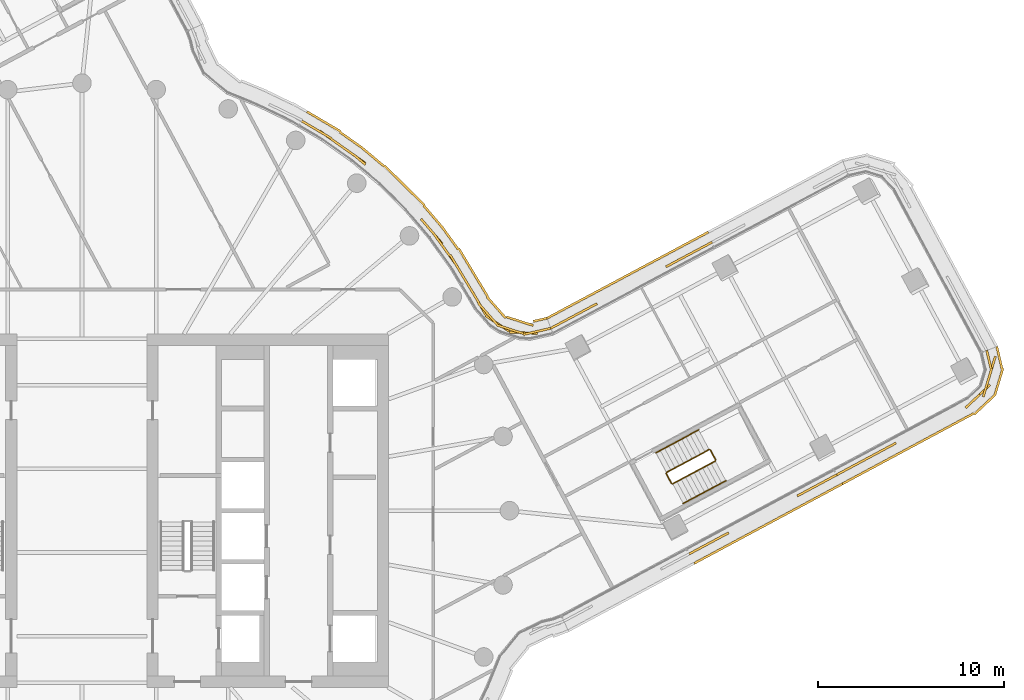
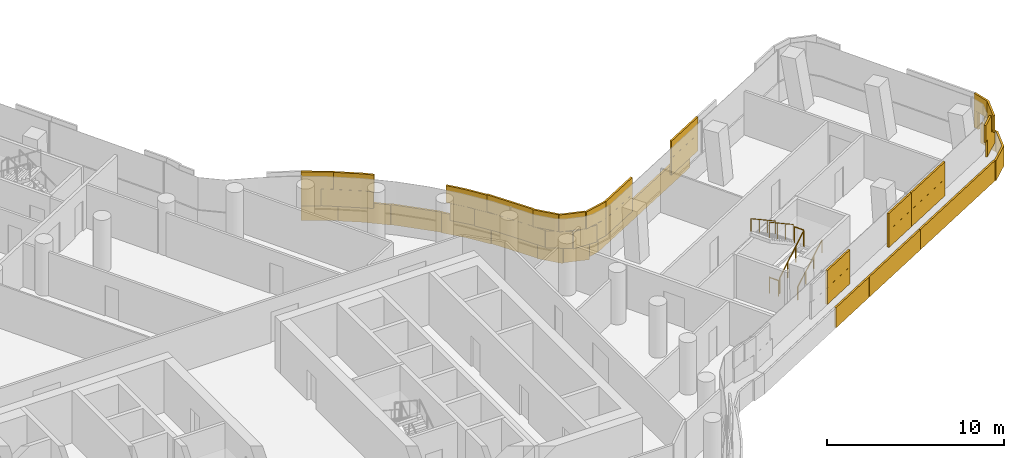
# One storey, part 30 of 33: 6 railings, 4 coverings.
"""IFC4 building model written with IfcOpenShell, lengths in metres."""

from ifc_helpers import new_model, si_unit, direction, frame, origin, origin_2d, place, context, subcontext, project, spatial, rectangle, circle, extrude, material, layer, layer_set, type_object, element, save


model = new_model("IFC4")

# Units and contexts
model_context = context("Model", 3, precision=1e-05, world=origin(), true_north=direction((0.0, 1.0)))
body_context = subcontext(model_context, "Body", "Model", "MODEL_VIEW")
ifc_project = project(units=[si_unit("LENGTHUNIT", "METRE"), si_unit("AREAUNIT", "SQUARE_METRE"), si_unit("VOLUMEUNIT", "CUBIC_METRE"), si_unit("PLANEANGLEUNIT", "RADIAN"), si_unit("MASSUNIT", "GRAM", prefix="KILO")], contexts=[model_context])

# Site, building, storey
site_placement = place(None, origin())
site = spatial("IfcSite", under=ifc_project, at=site_placement, CompositionType="ELEMENT")
building_placement = place(site_placement, origin())
building = spatial("IfcBuilding", under=site, at=building_placement, Name="Tamarind Cross Interchange Tower", CompositionType="ELEMENT")
storey_placement = place(building_placement, frame((0.0, 0.0, 136.75)))
storey = spatial("IfcBuildingStorey", under=building, at=storey_placement, Name="L33", CompositionType="ELEMENT", Elevation=136.75)

# Railings
ifc_material_1 = material(Name="Stair guard")
railing_type_1 = type_object("IfcRailingType", Name="Stair guard", PredefinedType="GUARDRAIL", material=ifc_material_1)
railing_1_placement = place(storey_placement, frame((31.77880859375, 1.444091796875, 0.17041015625)))
element("IfcRailing", 1, at=railing_1_placement, inside=storey, type_object=railing_type_1, Name="L33 ST3 stair guard 1", PredefinedType="GUARDRAIL", context=body_context, shape_type="SweptSolid", body=[
    extrude(circle(Radius=0.02392578125, at=origin_2d()), frame((0.0, 0.0, 1.076171875), z_axis=(0.73697387302, 0.395303833434, 0.548274009742), x_axis=(-0.47268255552, 0.88123277385, 0.0)), (0.0, 0.0, 1.0), 3.109130859375),
    extrude(circle(Radius=0.02099609375, at=origin_2d()), origin(), (0.0, 0.0, 1.0), 1.052001953125),
    extrude(circle(Radius=0.02099609375, at=origin_2d()), frame((0.763671875, 0.40966796875, 0.568115234375)), (0.0, 0.0, 1.0), 1.052001953125),
    extrude(circle(Radius=0.02099609375, at=origin_2d()), frame((1.527587890625, 0.8193359375, 1.136474609375)), (0.0, 0.0, 1.0), 1.052001953125),
    extrude(circle(Radius=0.02099609375, at=origin_2d()), frame((2.291259765625, 1.22900390625, 1.70458984375)), (0.0, 0.0, 1.0), 1.052001953125),
])
railing_2_placement = place(storey_placement, frame((34.090576171875, 2.74072265625, 1.875)))
element("IfcRailing", 2, at=railing_2_placement, inside=storey, type_object=railing_type_1, Name="L33 ST3 stair guard 2", PredefinedType="GUARDRAIL", context=body_context, shape_type="SweptSolid", body=[
    extrude(circle(Radius=0.02392578125, at=origin_2d()), frame((0.0, 0.0, 1.076171875), z_axis=(-0.472740658305, 0.881201605755, 0.0), x_axis=(-0.881201605755, -0.472740658305, 0.0)), (0.0, 0.0, 1.0), 0.60009765625),
    extrude(circle(Radius=0.02099609375, at=origin_2d()), origin(), (0.0, 0.0, 1.0), 1.052001953125),
    extrude(circle(Radius=0.02099609375, at=origin_2d()), frame((-0.28369140625, 0.52880859375, 0.0)), (0.0, 0.0, 1.0), 1.052001953125),
])
railing_3_placement = place(storey_placement, frame((33.7392578125, 3.289794921875, 2.04541015625)))
element("IfcRailing", 3, at=railing_3_placement, inside=storey, type_object=railing_type_1, Name="L33 ST3 stair guard 3", PredefinedType="GUARDRAIL", context=body_context, shape_type="SweptSolid", body=[
    extrude(circle(Radius=0.02392578125, at=origin_2d()), frame((0.0, 0.0, 1.076171875), z_axis=(-0.73697387302, -0.395303833434, 0.548274009742), x_axis=(0.47268255552, -0.88123277385, 0.0)), (0.0, 0.0, 1.0), 3.109130859375),
    extrude(circle(Radius=0.02099609375, at=origin_2d()), origin(), (0.0, 0.0, 1.0), 1.052001953125),
    extrude(circle(Radius=0.02099609375, at=origin_2d()), frame((-0.763671875, -0.40966796875, 0.568115234375)), (0.0, 0.0, 1.0), 1.052001953125),
    extrude(circle(Radius=0.02099609375, at=origin_2d()), frame((-1.527587890625, -0.8193359375, 1.136474609375)), (0.0, 0.0, 1.0), 1.052001953125),
    extrude(circle(Radius=0.02099609375, at=origin_2d()), frame((-2.291259765625, -1.22900390625, 1.70458984375)), (0.0, 0.0, 1.0), 1.052001953125),
])
railing_4_placement = place(storey_placement, frame((31.711181640625, 1.46435546875, 0.0)))
element("IfcRailing", 4, at=railing_4_placement, inside=storey, type_object=railing_type_1, Name="L33 ST3 stair guard 4", PredefinedType="GUARDRAIL", context=body_context, shape_type="SweptSolid", body=[
    extrude(circle(Radius=0.02392578125, at=origin_2d()), frame((0.0, 0.0, 1.076171875), z_axis=(-0.472740658305, 0.881201605755, 0.0), x_axis=(-0.881201605755, -0.472740658305, 0.0)), (0.0, 0.0, 1.0), 0.60009765625),
    extrude(circle(Radius=0.02099609375, at=origin_2d()), origin(), (0.0, 0.0, 1.0), 1.052001953125),
    extrude(circle(Radius=0.02099609375, at=origin_2d()), frame((-0.28369140625, 0.52880859375, 0.0)), (0.0, 0.0, 1.0), 1.052001953125),
])
ifc_material_2 = material(Name="Stair handrail")
railing_type_2 = type_object("IfcRailingType", Name="Stair handrail", PredefinedType="HANDRAIL", material=ifc_material_2)
railing_5_placement = place(storey_placement, frame((32.34619140625, 0.386474609375, 0.17041015625)))
element("IfcRailing", 5, at=railing_5_placement, inside=storey, type_object=railing_type_2, Name="L33 ST3 stair handrail 1", PredefinedType="HANDRAIL", context=body_context, shape_type="SweptSolid", body=[
    extrude(circle(Radius=0.02392578125, at=origin_2d()), frame((0.0, 0.0, 0.8759765625), z_axis=(0.73697387302, 0.395303833434, 0.548274009742), x_axis=(-0.47268255552, 0.88123277385, 0.0)), (0.0, 0.0, 1.0), 3.109130859375),
    extrude(circle(Radius=0.02099609375, at=origin_2d()), origin(), (0.0, 0.0, 1.0), 0.851806640625),
    extrude(circle(Radius=0.02099609375, at=origin_2d()), frame((0.763671875, 0.40966796875, 0.568115234375)), (0.0, 0.0, 1.0), 0.851806640625),
    extrude(circle(Radius=0.02099609375, at=origin_2d()), frame((1.527587890625, 0.8193359375, 1.136474609375)), (0.0, 0.0, 1.0), 0.851806640625),
    extrude(circle(Radius=0.02099609375, at=origin_2d()), frame((2.291259765625, 1.22900390625, 1.70458984375)), (0.0, 0.0, 1.0), 0.851806640625),
])
railing_6_placement = place(storey_placement, frame((33.171875, 4.347412109375, 2.04541015625)))
element("IfcRailing", 6, at=railing_6_placement, inside=storey, type_object=railing_type_2, Name="L33 ST3 stair handrail 2", PredefinedType="HANDRAIL", context=body_context, shape_type="SweptSolid", body=[
    extrude(circle(Radius=0.02392578125, at=origin_2d()), frame((0.0, 0.0, 0.8759765625), z_axis=(-0.736937993412, -0.395326711299, 0.548305740622), x_axis=(0.472721670882, -0.881211791727, 0.0)), (0.0, 0.0, 1.0), 3.10888671875),
    extrude(circle(Radius=0.02099609375, at=origin_2d()), origin(), (0.0, 0.0, 1.0), 0.851806640625),
    extrude(circle(Radius=0.02099609375, at=origin_2d()), frame((-0.763671875, -0.40966796875, 0.568115234375)), (0.0, 0.0, 1.0), 0.851806640625),
    extrude(circle(Radius=0.02099609375, at=origin_2d()), frame((-1.52734375, -0.8193359375, 1.136474609375)), (0.0, 0.0, 1.0), 0.851806640625),
    extrude(circle(Radius=0.02099609375, at=origin_2d()), frame((-2.291015625, -1.22900390625, 1.70458984375)), (0.0, 0.0, 1.0), 0.851806640625),
])

# Coverings
ifc_material_3 = material(Name="Terracotta", Category="masonry")
ifc_layer = layer(ifc_material_3, 0.1201171875)
ifc_layer_set = layer_set([ifc_layer], Name="Terracotta")
covering_type = type_object("IfcCoveringType", Name="Terracotta baguette screen unit", PredefinedType="MOLDING", material=ifc_layer_set)
covering_1_placement = place(storey_placement, origin())
element("IfcCovering", 7, at=covering_1_placement, inside=storey, type_object=covering_type, Name="SCR-L33-11-01", PredefinedType="MOLDING", context=body_context, shape_type="SweptSolid", body=[
    extrude(rectangle(XDim=0.61279296875, YDim=0.1201171875, at=origin_2d()), frame((32.930908203125, -2.18212890625, 1.404052734375), z_axis=(0.0, 0.0, 1.0), x_axis=(0.881224263054, 0.472698422046, 0.0)), (0.0, 0.0, 1.0), 1.1669921875),
    extrude(rectangle(XDim=1.52001953125, YDim=0.1201171875, at=origin_2d()), frame((33.857421875, -1.685302734375, 1.404052734375), z_axis=(0.0, 0.0, 1.0), x_axis=(0.881224263054, 0.472698422046, 0.0)), (0.0, 0.0, 1.0), 1.1669921875),
    extrude(rectangle(XDim=0.310546875, YDim=0.1201171875, at=origin_2d()), frame((34.650634765625, -1.259765625, 1.404052734375), z_axis=(0.0, 0.0, 1.0), x_axis=(0.881224263054, 0.472698422046, 0.0)), (0.0, 0.0, 1.0), 1.1669921875),
    extrude(rectangle(XDim=1.509521484375, YDim=0.1201171875, at=origin_2d()), frame((39.144775390625, 1.151123046875, 1.404052734375), z_axis=(0.0, 0.0, 1.0), x_axis=(0.881224263054, 0.472698422046, 0.0)), (0.0, 0.0, 1.0), 1.1669921875),
    extrude(rectangle(XDim=0.91357421875, YDim=0.1201171875, at=origin_2d()), frame((40.203857421875, 1.718994140625, 1.404052734375), z_axis=(0.0, 0.0, 1.0), x_axis=(0.881224263054, 0.472698422046, 0.0)), (0.0, 0.0, 1.0), 1.1669921875),
    extrude(rectangle(XDim=1.36279296875, YDim=0.1201171875, at=origin_2d()), frame((33.26123046875, -2.0048828125, 2.5791015625), z_axis=(0.0, 0.0, 1.0), x_axis=(0.881224263054, 0.472698422046, 0.0)), (0.0, 0.0, 1.0), 1.1669921875),
    extrude(rectangle(XDim=1.060546875, YDim=0.1201171875, at=origin_2d()), frame((34.320068359375, -1.43701171875, 2.5791015625), z_axis=(0.0, 0.0, 1.0), x_axis=(0.881224263054, 0.472698422046, 0.0)), (0.0, 0.0, 1.0), 1.1669921875),
    extrude(rectangle(XDim=0.759521484375, YDim=0.1201171875, at=origin_2d()), frame((38.814453125, 0.973876953125, 2.5791015625), z_axis=(0.0, 0.0, 1.0), x_axis=(0.881224263054, 0.472698422046, 0.0)), (0.0, 0.0, 1.0), 1.1669921875),
    extrude(rectangle(XDim=1.52001953125, YDim=0.1201171875, at=origin_2d()), frame((39.8056640625, 1.50537109375, 2.5791015625), z_axis=(0.0, 0.0, 1.0), x_axis=(0.881224263054, 0.472698422046, 0.0)), (0.0, 0.0, 1.0), 1.1669921875),
    extrude(rectangle(XDim=0.16357421875, YDim=0.1201171875, at=origin_2d()), frame((40.5341796875, 1.896240234375, 2.5791015625), z_axis=(0.0, 0.0, 1.0), x_axis=(0.881224263054, 0.472698422046, 0.0)), (0.0, 0.0, 1.0), 1.1669921875),
    extrude(rectangle(XDim=0.577880859375, YDim=0.1201171875, at=origin_2d()), frame((33.188720703125, -2.6953125, 0.00390625), z_axis=(0.0, 0.0, 1.0), x_axis=(0.881224263054, 0.472698422046, 0.0)), (0.0, 0.0, 1.0), 1.39208984375),
    extrude(rectangle(XDim=1.52001953125, YDim=0.1201171875, at=origin_2d()), frame((34.095458984375, -2.208740234375, 0.00390625), z_axis=(0.0, 0.0, 1.0), x_axis=(0.881224263054, 0.472698422046, 0.0)), (0.0, 0.0, 1.0), 1.39208984375),
    extrude(rectangle(XDim=1.52001953125, YDim=0.1201171875, at=origin_2d()), frame((35.417236328125, -1.499755859375, 0.00390625), z_axis=(0.0, 0.0, 1.0), x_axis=(0.881224263054, 0.472698422046, 0.0)), (0.0, 0.0, 1.0), 1.39208984375),
    extrude(rectangle(XDim=1.52001953125, YDim=0.1201171875, at=origin_2d()), frame((36.7392578125, -0.790771484375, 0.00390625), z_axis=(0.0, 0.0, 1.0), x_axis=(0.881224263054, 0.472698422046, 0.0)), (0.0, 0.0, 1.0), 1.39208984375),
    extrude(rectangle(XDim=1.52001953125, YDim=0.1201171875, at=origin_2d()), frame((38.06103515625, -0.081787109375, 0.00390625), z_axis=(0.0, 0.0, 1.0), x_axis=(0.881224263054, 0.472698422046, 0.0)), (0.0, 0.0, 1.0), 1.39208984375),
    extrude(rectangle(XDim=1.52001953125, YDim=0.1201171875, at=origin_2d()), frame((39.3828125, 0.62744140625, 0.00390625), z_axis=(0.0, 0.0, 1.0), x_axis=(0.881224263054, 0.472698422046, 0.0)), (0.0, 0.0, 1.0), 1.39208984375),
    extrude(rectangle(XDim=0.989501953125, YDim=0.1201171875, at=origin_2d()), frame((40.470947265625, 1.2109375, 0.00390625), z_axis=(0.0, 0.0, 1.0), x_axis=(0.881224263054, 0.472698422046, 0.0)), (0.0, 0.0, 1.0), 1.39208984375),
])
covering_2_placement = place(storey_placement, origin())
element("IfcCovering", 8, at=covering_2_placement, inside=storey, type_object=covering_type, Name="SCR-L33-11-02", PredefinedType="MOLDING", context=body_context, shape_type="SweptSolid", body=[
    extrude(rectangle(XDim=0.606201171875, YDim=0.1201171875, at=origin_2d()), frame((40.86474609375, 2.073486328125, 1.404052734375), z_axis=(0.0, 0.0, 1.0), x_axis=(0.881224263054, 0.472698422046, 0.0)), (0.0, 0.0, 1.0), 1.1669921875),
    extrude(rectangle(XDim=1.52001953125, YDim=0.1201171875, at=origin_2d()), frame((41.788330078125, 2.569091796875, 1.404052734375), z_axis=(0.0, 0.0, 1.0), x_axis=(0.881224263054, 0.472698422046, 0.0)), (0.0, 0.0, 1.0), 1.1669921875),
    extrude(rectangle(XDim=1.52001953125, YDim=0.1201171875, at=origin_2d()), frame((43.110107421875, 3.278076171875, 1.404052734375), z_axis=(0.0, 0.0, 1.0), x_axis=(0.881224263054, 0.472698422046, 0.0)), (0.0, 0.0, 1.0), 1.1669921875),
    extrude(rectangle(XDim=1.52001953125, YDim=0.1201171875, at=origin_2d()), frame((48.298095703125, 6.252685546875, 1.404052734375), z_axis=(0.0, 0.0, 1.0), x_axis=(0.728853920221, 0.684669236185, 0.0)), (0.0, 0.0, 1.0), 1.1669921875),
    extrude(rectangle(XDim=1.52001953125, YDim=0.1201171875, at=origin_2d()), frame((48.915771484375, 7.574462890625, 1.404052734375), z_axis=(0.0, 0.0, 1.0), x_axis=(0.288871392467, 0.957367911837, 0.0)), (0.0, 0.0, 1.0), 1.1669921875),
    extrude(rectangle(XDim=0.33349609375, YDim=0.1201171875, at=origin_2d()), frame((48.70849609375, 8.462158203125, 1.404052734375), z_axis=(0.0, 0.0, 1.0), x_axis=(-0.228513991615, 0.973540628652, 0.0)), (0.0, 0.0, 1.0), 1.1669921875),
    extrude(rectangle(XDim=1.356201171875, YDim=0.1201171875, at=origin_2d()), frame((41.195068359375, 2.2509765625, 2.5791015625), z_axis=(0.0, 0.0, 1.0), x_axis=(0.881224263054, 0.472698422046, 0.0)), (0.0, 0.0, 1.0), 1.1669921875),
    extrude(rectangle(XDim=1.52001953125, YDim=0.1201171875, at=origin_2d()), frame((42.44921875, 2.923583984375, 2.5791015625), z_axis=(0.0, 0.0, 1.0), x_axis=(0.881224263054, 0.472698422046, 0.0)), (0.0, 0.0, 1.0), 1.1669921875),
    extrude(rectangle(XDim=0.773681640625, YDim=0.1201171875, at=origin_2d()), frame((43.446533203125, 3.45849609375, 2.5791015625), z_axis=(0.0, 0.0, 1.0), x_axis=(0.881224263054, 0.472698422046, 0.0)), (0.0, 0.0, 1.0), 1.1669921875),
    extrude(rectangle(XDim=1.04638671875, YDim=0.1201171875, at=origin_2d()), frame((47.92041015625, 5.897705078125, 2.5791015625), z_axis=(0.0, 0.0, 1.0), x_axis=(0.728853920221, 0.684669236185, 0.0)), (0.0, 0.0, 1.0), 1.1669921875),
    extrude(rectangle(XDim=1.52001953125, YDim=0.1201171875, at=origin_2d()), frame((48.698974609375, 6.8564453125, 2.5791015625), z_axis=(0.0, 0.0, 1.0), x_axis=(0.288871392467, 0.957367911837, 0.0)), (0.0, 0.0, 1.0), 1.1669921875),
    extrude(rectangle(XDim=1.08349609375, YDim=0.1201171875, at=origin_2d()), frame((48.794189453125, 8.096923828125, 2.5791015625), z_axis=(0.0, 0.0, 1.0), x_axis=(-0.228513991615, 0.973540628652, 0.0)), (0.0, 0.0, 1.0), 1.1669921875),
    extrude(rectangle(XDim=0.530517578125, YDim=0.1201171875, at=origin_2d()), frame((41.140625, 1.5703125, 0.00390625), z_axis=(0.0, 0.0, 1.0), x_axis=(0.881224263054, 0.472698422046, 0.0)), (0.0, 0.0, 1.0), 1.39208984375),
    extrude(rectangle(XDim=1.52001953125, YDim=0.1201171875, at=origin_2d()), frame((42.026611328125, 2.04541015625, 0.00390625), z_axis=(0.0, 0.0, 1.0), x_axis=(0.881224263054, 0.472698422046, 0.0)), (0.0, 0.0, 1.0), 1.39208984375),
    extrude(rectangle(XDim=1.52001953125, YDim=0.1201171875, at=origin_2d()), frame((43.348388671875, 2.75439453125, 0.00390625), z_axis=(0.0, 0.0, 1.0), x_axis=(0.881224263054, 0.472698422046, 0.0)), (0.0, 0.0, 1.0), 1.39208984375),
    extrude(rectangle(XDim=1.52001953125, YDim=0.1201171875, at=origin_2d()), frame((44.670166015625, 3.463623046875, 0.00390625), z_axis=(0.0, 0.0, 1.0), x_axis=(0.881224263054, 0.472698422046, 0.0)), (0.0, 0.0, 1.0), 1.39208984375),
    extrude(rectangle(XDim=1.52001953125, YDim=0.1201171875, at=origin_2d()), frame((45.991943359375, 4.172607421875, 0.00390625), z_axis=(0.0, 0.0, 1.0), x_axis=(0.881224263054, 0.472698422046, 0.0)), (0.0, 0.0, 1.0), 1.39208984375),
    extrude(rectangle(XDim=1.52001953125, YDim=0.1201171875, at=origin_2d()), frame((47.31396484375, 4.881591796875, 0.00390625), z_axis=(0.0, 0.0, 1.0), x_axis=(0.881224263054, 0.472698422046, 0.0)), (0.0, 0.0, 1.0), 1.39208984375),
    extrude(rectangle(XDim=1.52001953125, YDim=0.1201171875, at=origin_2d()), frame((48.553466796875, 5.705078125, 0.00390625), z_axis=(0.0, 0.0, 1.0), x_axis=(0.728853920221, 0.684669236185, 0.0)), (0.0, 0.0, 1.0), 1.39208984375),
    extrude(rectangle(XDim=1.52001953125, YDim=0.1201171875, at=origin_2d()), frame((49.32177734375, 6.933349609375, 0.00390625), z_axis=(0.0, 0.0, 1.0), x_axis=(0.288871392467, 0.957367911837, 0.0)), (0.0, 0.0, 1.0), 1.39208984375),
    extrude(rectangle(XDim=1.213134765625, YDim=0.1201171875, at=origin_2d()), frame((49.3515625, 8.23388671875, 0.00390625), z_axis=(0.0, 0.0, 1.0), x_axis=(-0.228513991615, 0.973540628652, 0.0)), (0.0, 0.0, 1.0), 1.39208984375),
])
covering_3_placement = place(storey_placement, origin())
element("IfcCovering", 9, at=covering_3_placement, inside=storey, type_object=covering_type, Name="SCR-L33-13-01", PredefinedType="MOLDING", context=body_context, shape_type="SweptSolid", body=[
    extrude(rectangle(XDim=0.072021484375, YDim=0.1201171875, at=origin_2d()), frame((33.869384765625, 14.430908203125, 1.404052734375), z_axis=(0.0, 0.0, 1.0), x_axis=(-0.88215520934, -0.47095879505, 0.0)), (0.0, 0.0, 1.0), 1.1669921875),
    extrude(rectangle(XDim=1.52001953125, YDim=0.1201171875, at=origin_2d()), frame((33.180419921875, 14.06298828125, 1.404052734375), z_axis=(0.0, 0.0, 1.0), x_axis=(-0.88215520934, -0.47095879505, 0.0)), (0.0, 0.0, 1.0), 1.1669921875),
    extrude(rectangle(XDim=1.26416015625, YDim=0.1201171875, at=origin_2d()), frame((31.965576171875, 13.41455078125, 1.404052734375), z_axis=(0.0, 0.0, 1.0), x_axis=(-0.88215520934, -0.47095879505, 0.0)), (0.0, 0.0, 1.0), 1.1669921875),
    extrude(rectangle(XDim=0.5556640625, YDim=0.1201171875, at=origin_2d()), frame((27.466552734375, 11.012451171875, 1.404052734375), z_axis=(0.0, 0.0, 1.0), x_axis=(-0.88215520934, -0.47095879505, 0.0)), (0.0, 0.0, 1.0), 1.1669921875),
    extrude(rectangle(XDim=1.52001953125, YDim=0.1201171875, at=origin_2d()), frame((26.564208984375, 10.53076171875, 1.404052734375), z_axis=(0.0, 0.0, 1.0), x_axis=(-0.88215520934, -0.47095879505, 0.0)), (0.0, 0.0, 1.0), 1.1669921875),
    extrude(rectangle(XDim=0.780517578125, YDim=0.1201171875, at=origin_2d()), frame((25.562744140625, 9.99609375, 1.404052734375), z_axis=(0.0, 0.0, 1.0), x_axis=(-0.88215520934, -0.47095879505, 0.0)), (0.0, 0.0, 1.0), 1.1669921875),
    extrude(rectangle(XDim=0.822021484375, YDim=0.1201171875, at=origin_2d()), frame((33.53857421875, 14.254150390625, 2.5791015625), z_axis=(0.0, 0.0, 1.0), x_axis=(-0.88215520934, -0.47095879505, 0.0)), (0.0, 0.0, 1.0), 1.1669921875),
    extrude(rectangle(XDim=1.52001953125, YDim=0.1201171875, at=origin_2d()), frame((32.518798828125, 13.709716796875, 2.5791015625), z_axis=(0.0, 0.0, 1.0), x_axis=(-0.88215520934, -0.47095879505, 0.0)), (0.0, 0.0, 1.0), 1.1669921875),
    extrude(rectangle(XDim=0.51416015625, YDim=0.1201171875, at=origin_2d()), frame((31.634765625, 13.23779296875, 2.5791015625), z_axis=(0.0, 0.0, 1.0), x_axis=(-0.88215520934, -0.47095879505, 0.0)), (0.0, 0.0, 1.0), 1.1669921875),
    extrude(rectangle(XDim=1.3056640625, YDim=0.1201171875, at=origin_2d()), frame((27.1357421875, 10.8359375, 2.5791015625), z_axis=(0.0, 0.0, 1.0), x_axis=(-0.88215520934, -0.47095879505, 0.0)), (0.0, 0.0, 1.0), 1.1669921875),
    extrude(rectangle(XDim=1.52001953125, YDim=0.1201171875, at=origin_2d()), frame((25.902587890625, 10.177734375, 2.5791015625), z_axis=(0.0, 0.0, 1.0), x_axis=(-0.88215520934, -0.47095879505, 0.0)), (0.0, 0.0, 1.0), 1.1669921875),
    extrude(rectangle(XDim=0.030517578125, YDim=0.1201171875, at=origin_2d()), frame((25.23193359375, 9.819580078125, 2.5791015625), z_axis=(0.0, 0.0, 1.0), x_axis=(-0.88215520934, -0.47095879505, 0.0)), (0.0, 0.0, 1.0), 1.1669921875),
    extrude(rectangle(XDim=0.072998046875, YDim=0.1201171875, at=origin_2d()), frame((33.6611328125, 14.970458984375, 0.00390625), z_axis=(0.0, 0.0, 1.0), x_axis=(-0.88215520934, -0.47095879505, 0.0)), (0.0, 0.0, 1.0), 1.39208984375),
    extrude(rectangle(XDim=1.52001953125, YDim=0.1201171875, at=origin_2d()), frame((32.97607421875, 14.604736328125, 0.00390625), z_axis=(0.0, 0.0, 1.0), x_axis=(-0.88215520934, -0.47095879505, 0.0)), (0.0, 0.0, 1.0), 1.39208984375),
    extrude(rectangle(XDim=1.52001953125, YDim=0.1201171875, at=origin_2d()), frame((31.653076171875, 13.898193359375, 0.00390625), z_axis=(0.0, 0.0, 1.0), x_axis=(-0.88215520934, -0.47095879505, 0.0)), (0.0, 0.0, 1.0), 1.39208984375),
    extrude(rectangle(XDim=1.52001953125, YDim=0.1201171875, at=origin_2d()), frame((30.329833984375, 13.19189453125, 0.00390625), z_axis=(0.0, 0.0, 1.0), x_axis=(-0.88215520934, -0.47095879505, 0.0)), (0.0, 0.0, 1.0), 1.39208984375),
    extrude(rectangle(XDim=1.52001953125, YDim=0.1201171875, at=origin_2d()), frame((29.006591796875, 12.4853515625, 0.00390625), z_axis=(0.0, 0.0, 1.0), x_axis=(-0.88215520934, -0.47095879505, 0.0)), (0.0, 0.0, 1.0), 1.39208984375),
    extrude(rectangle(XDim=1.52001953125, YDim=0.1201171875, at=origin_2d()), frame((27.683349609375, 11.779052734375, 0.00390625), z_axis=(0.0, 0.0, 1.0), x_axis=(-0.88215520934, -0.47095879505, 0.0)), (0.0, 0.0, 1.0), 1.39208984375),
    extrude(rectangle(XDim=1.52001953125, YDim=0.1201171875, at=origin_2d()), frame((26.360107421875, 11.072509765625, 0.00390625), z_axis=(0.0, 0.0, 1.0), x_axis=(-0.88215520934, -0.47095879505, 0.0)), (0.0, 0.0, 1.0), 1.39208984375),
    extrude(rectangle(XDim=0.77880859375, YDim=0.1201171875, at=origin_2d()), frame((25.36376953125, 10.54052734375, 0.00390625), z_axis=(0.0, 0.0, 1.0), x_axis=(-0.88215520934, -0.47095879505, 0.0)), (0.0, 0.0, 1.0), 1.39208984375),
])
covering_4_placement = place(storey_placement, origin())
element("IfcCovering", 10, at=covering_4_placement, inside=storey, type_object=covering_type, Name="SCR-L33-14-00", PredefinedType="MOLDING", context=body_context, shape_type="SweptSolid", body=[
    extrude(rectangle(XDim=0.760009765625, YDim=0.1201171875, at=origin_2d()), frame((24.857177734375, 9.731201171875, 1.404052734375), z_axis=(0.0, 0.0, 1.0), x_axis=(-0.974955236893, -0.222401182673, 0.0)), (0.0, 0.0, 1.0), 1.1669921875),
    extrude(rectangle(XDim=1.52001953125, YDim=0.1201171875, at=origin_2d()), frame((23.752197265625, 9.5712890625, 1.404052734375), z_axis=(0.0, 0.0, 1.0), x_axis=(-0.999041059942, 0.04378310804, 0.0)), (0.0, 0.0, 1.0), 1.1669921875),
    extrude(rectangle(XDim=1.52001953125, YDim=0.1201171875, at=origin_2d()), frame((22.353759765625, 10.06689453125, 1.404052734375), z_axis=(0.0, 0.0, 1.0), x_axis=(-0.836492999444, 0.547977610747, 0.0)), (0.0, 0.0, 1.0), 1.1669921875),
    extrude(rectangle(XDim=1.52001953125, YDim=0.1201171875, at=origin_2d()), frame((21.355224609375, 11.173583984375, 1.404052734375), z_axis=(0.0, 0.0, 1.0), x_axis=(-0.503052470984, 0.864255871509, 0.0)), (0.0, 0.0, 1.0), 1.1669921875),
    extrude(rectangle(XDim=1.52001953125, YDim=0.1201171875, at=origin_2d()), frame((20.58740234375, 12.462158203125, 1.404052734375), z_axis=(0.0, 0.0, 1.0), x_axis=(-0.515577308909, 0.856843065292, 0.0)), (0.0, 0.0, 1.0), 1.1669921875),
    extrude(rectangle(XDim=1.52001953125, YDim=0.1201171875, at=origin_2d()), frame((19.77490234375, 13.7216796875, 1.404052734375), z_axis=(0.0, 0.0, 1.0), x_axis=(-0.584573890505, 0.811340475102, 0.0)), (0.0, 0.0, 1.0), 1.1669921875),
    extrude(rectangle(XDim=1.52001953125, YDim=0.1201171875, at=origin_2d()), frame((18.892822265625, 14.934814453125, 1.404052734375), z_axis=(0.0, 0.0, 1.0), x_axis=(-0.64957723968, 0.760295606781, 0.0)), (0.0, 0.0, 1.0), 1.1669921875),
    extrude(rectangle(XDim=1.52001953125, YDim=0.1201171875, at=origin_2d()), frame((14.625732421875, 19.1318359375, 1.404052734375), z_axis=(0.0, 0.0, 1.0), x_axis=(-0.816341886298, 0.577568978284, 0.0)), (0.0, 0.0, 1.0), 1.1669921875),
    extrude(rectangle(XDim=1.52001953125, YDim=0.1201171875, at=origin_2d()), frame((13.4013671875, 19.998046875, 1.404052734375), z_axis=(0.0, 0.0, 1.0), x_axis=(-0.816341886298, 0.577568978284, 0.0)), (0.0, 0.0, 1.0), 1.1669921875),
    extrude(rectangle(XDim=1.109375, YDim=0.1201171875, at=origin_2d()), frame((12.29931640625, 20.685302734375, 1.404052734375), z_axis=(0.0, 0.0, 1.0), x_axis=(-0.861248933065, 0.508183308752, 0.0)), (0.0, 0.0, 1.0), 1.1669921875),
    extrude(rectangle(XDim=1.510009765625, YDim=0.1201171875, at=origin_2d()), frame((24.49169921875, 9.64794921875, 2.5791015625), z_axis=(0.0, 0.0, 1.0), x_axis=(-0.974955236893, -0.222401182673, 0.0)), (0.0, 0.0, 1.0), 1.1669921875),
    extrude(rectangle(XDim=1.52001953125, YDim=0.1201171875, at=origin_2d()), frame((23.031005859375, 9.76025390625, 2.5791015625), z_axis=(0.0, 0.0, 1.0), x_axis=(-0.951761180616, 0.306839787304, 0.0)), (0.0, 0.0, 1.0), 1.1669921875),
    extrude(rectangle(XDim=1.52001953125, YDim=0.1201171875, at=origin_2d()), frame((21.826416015625, 10.59326171875, 2.5791015625), z_axis=(0.0, 0.0, 1.0), x_axis=(-0.661470607124, 0.74997109005, 0.0)), (0.0, 0.0, 1.0), 1.1669921875),
    extrude(rectangle(XDim=1.52001953125, YDim=0.1201171875, at=origin_2d()), frame((20.97412109375, 11.819580078125, 2.5791015625), z_axis=(0.0, 0.0, 1.0), x_axis=(-0.515577308909, 0.856843065292, 0.0)), (0.0, 0.0, 1.0), 1.1669921875),
    extrude(rectangle(XDim=1.52001953125, YDim=0.1201171875, at=origin_2d()), frame((20.20068359375, 13.10498046875, 2.5791015625), z_axis=(0.0, 0.0, 1.0), x_axis=(-0.515577308909, 0.856843065292, 0.0)), (0.0, 0.0, 1.0), 1.1669921875),
    extrude(rectangle(XDim=1.52001953125, YDim=0.1201171875, at=origin_2d()), frame((19.33642578125, 14.330078125, 2.5791015625), z_axis=(0.0, 0.0, 1.0), x_axis=(-0.584573890505, 0.811340475102, 0.0)), (0.0, 0.0, 1.0), 1.1669921875),
    extrude(rectangle(XDim=1.00927734375, YDim=0.1201171875, at=origin_2d()), frame((18.568359375, 15.314697265625, 2.5791015625), z_axis=(0.0, 0.0, 1.0), x_axis=(-0.64957723968, 0.760295606781, 0.0)), (0.0, 0.0, 1.0), 1.1669921875),
    extrude(rectangle(XDim=0.810546875, YDim=0.1201171875, at=origin_2d()), frame((14.937744140625, 18.88134765625, 2.5791015625), z_axis=(0.0, 0.0, 1.0), x_axis=(-0.765858396687, 0.643009266048, 0.0)), (0.0, 0.0, 1.0), 1.1669921875),
    extrude(rectangle(XDim=1.52001953125, YDim=0.1201171875, at=origin_2d()), frame((14.013427734375, 19.56494140625, 2.5791015625), z_axis=(0.0, 0.0, 1.0), x_axis=(-0.816341886298, 0.577568978284, 0.0)), (0.0, 0.0, 1.0), 1.1669921875),
    extrude(rectangle(XDim=1.52001953125, YDim=0.1201171875, at=origin_2d()), frame((12.772705078125, 20.406005859375, 2.5791015625), z_axis=(0.0, 0.0, 1.0), x_axis=(-0.861248933065, 0.508183308752, 0.0)), (0.0, 0.0, 1.0), 1.1669921875),
    extrude(rectangle(XDim=0.359375, YDim=0.1201171875, at=origin_2d()), frame((11.976318359375, 20.8759765625, 2.5791015625), z_axis=(0.0, 0.0, 1.0), x_axis=(-0.861248933065, 0.508183308752, 0.0)), (0.0, 0.0, 1.0), 1.1669921875),
    extrude(rectangle(XDim=0.760009765625, YDim=0.1201171875, at=origin_2d()), frame((24.64990234375, 10.272705078125, 0.00390625), z_axis=(0.0, 0.0, 1.0), x_axis=(-0.974955236893, -0.222401182673, 0.0)), (0.0, 0.0, 1.0), 1.39208984375),
    extrude(rectangle(XDim=1.52001953125, YDim=0.1201171875, at=origin_2d()), frame((23.55322265625, 10.19482421875, 0.00390625), z_axis=(0.0, 0.0, 1.0), x_axis=(-0.951761180616, 0.306839787304, 0.0)), (0.0, 0.0, 1.0), 1.39208984375),
    extrude(rectangle(XDim=1.52001953125, YDim=0.1201171875, at=origin_2d()), frame((22.292724609375, 10.932373046875, 0.00390625), z_axis=(0.0, 0.0, 1.0), x_axis=(-0.661470607124, 0.74997109005, 0.0)), (0.0, 0.0, 1.0), 1.39208984375),
    extrude(rectangle(XDim=1.52001953125, YDim=0.1201171875, at=origin_2d()), frame((21.43994140625, 12.15869140625, 0.00390625), z_axis=(0.0, 0.0, 1.0), x_axis=(-0.515577308909, 0.856843065292, 0.0)), (0.0, 0.0, 1.0), 1.39208984375),
    extrude(rectangle(XDim=1.52001953125, YDim=0.1201171875, at=origin_2d()), frame((20.66650390625, 13.44384765625, 0.00390625), z_axis=(0.0, 0.0, 1.0), x_axis=(-0.515577308909, 0.856843065292, 0.0)), (0.0, 0.0, 1.0), 1.39208984375),
    extrude(rectangle(XDim=1.52001953125, YDim=0.1201171875, at=origin_2d()), frame((19.800537109375, 14.66796875, 0.00390625), z_axis=(0.0, 0.0, 1.0), x_axis=(-0.584573890505, 0.811340475102, 0.0)), (0.0, 0.0, 1.0), 1.39208984375),
    extrude(rectangle(XDim=1.52001953125, YDim=0.1201171875, at=origin_2d()), frame((18.87109375, 15.84375, 0.00390625), z_axis=(0.0, 0.0, 1.0), x_axis=(-0.64957723968, 0.760295606781, 0.0)), (0.0, 0.0, 1.0), 1.39208984375),
    extrude(rectangle(XDim=1.52001953125, YDim=0.1201171875, at=origin_2d()), frame((17.880615234375, 16.96923828125, 0.00390625), z_axis=(0.0, 0.0, 1.0), x_axis=(-0.710143317658, 0.704057148523, 0.0)), (0.0, 0.0, 1.0), 1.39208984375),
    extrude(rectangle(XDim=1.52001953125, YDim=0.1201171875, at=origin_2d()), frame((16.815185546875, 18.025390625, 0.00390625), z_axis=(0.0, 0.0, 1.0), x_axis=(-0.710143317658, 0.704057148523, 0.0)), (0.0, 0.0, 1.0), 1.39208984375),
    extrude(rectangle(XDim=1.52001953125, YDim=0.1201171875, at=origin_2d()), frame((15.681640625, 19.00634765625, 0.00390625), z_axis=(0.0, 0.0, 1.0), x_axis=(-0.765858396687, 0.643009266048, 0.0)), (0.0, 0.0, 1.0), 1.39208984375),
    extrude(rectangle(XDim=1.52001953125, YDim=0.1201171875, at=origin_2d()), frame((14.497802734375, 19.925537109375, 0.00390625), z_axis=(0.0, 0.0, 1.0), x_axis=(-0.816341886298, 0.577568978284, 0.0)), (0.0, 0.0, 1.0), 1.39208984375),
    extrude(rectangle(XDim=1.52001953125, YDim=0.1201171875, at=origin_2d()), frame((13.266357421875, 20.781005859375, 0.00390625), z_axis=(0.0, 0.0, 1.0), x_axis=(-0.861248933065, 0.508183308752, 0.0)), (0.0, 0.0, 1.0), 1.39208984375),
    extrude(rectangle(XDim=0.605224609375, YDim=0.1201171875, at=origin_2d()), frame((12.368408203125, 21.31103515625, 0.00390625), z_axis=(0.0, 0.0, 1.0), x_axis=(-0.861248933065, 0.508183308752, 0.0)), (0.0, 0.0, 1.0), 1.39208984375),
])

save(model, "model.ifc")
